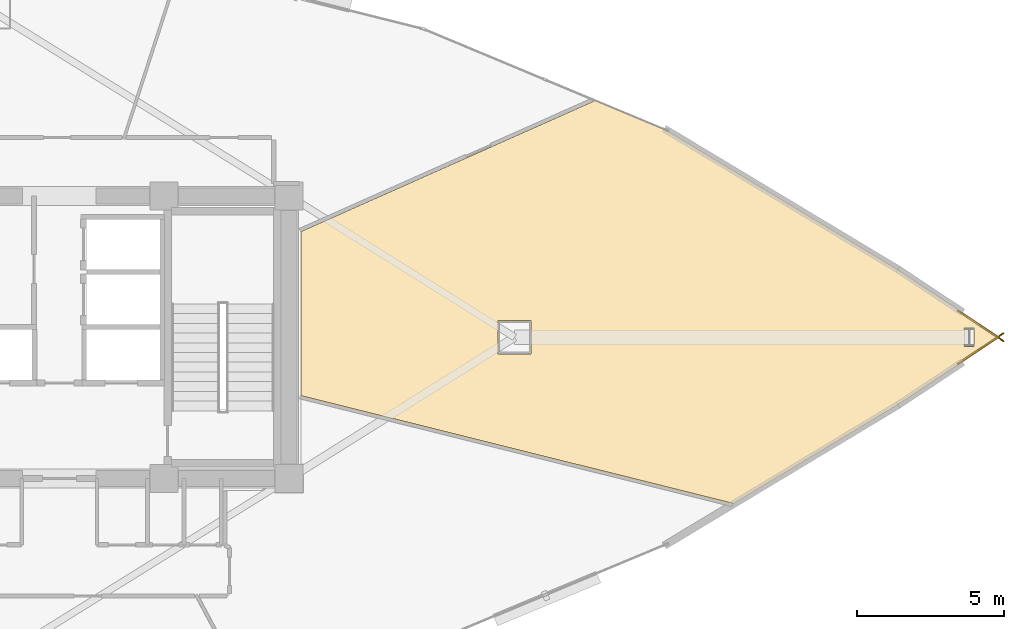
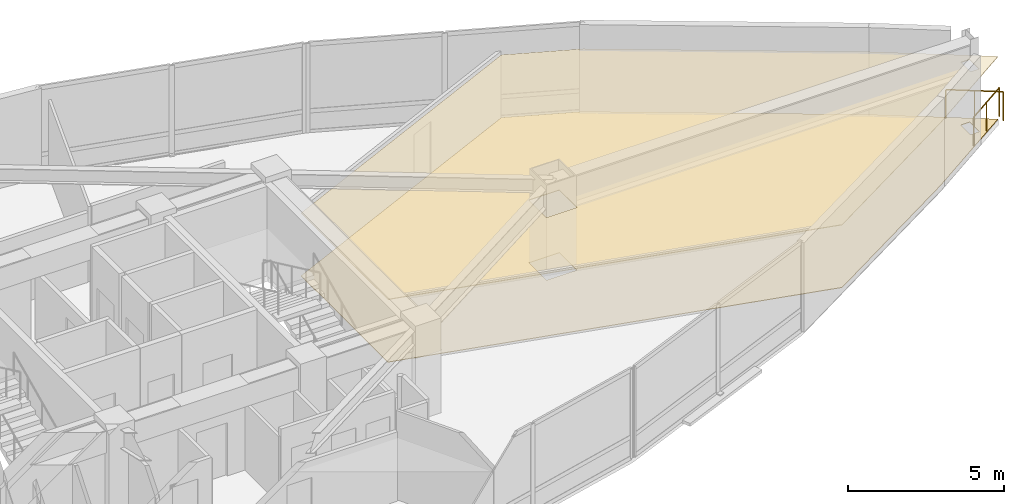
# One storey, part 18 of 18: 2 coverings, 2 railings.
"""IFC4 building model written with IfcOpenShell, lengths in metres."""

from ifc_helpers import new_model, si_unit, direction, frame, origin, origin_2d, place, context, subcontext, project, spatial, polyline, circle, outline, extrude, material, layer, layer_set, type_object, element, save


model = new_model("IFC4")

# Units and contexts
model_context = context("Model", 3, precision=1e-05, world=origin(), true_north=direction((0.0, 1.0)))
body_context = subcontext(model_context, "Body", "Model", "MODEL_VIEW")
ifc_project = project(units=[si_unit("LENGTHUNIT", "METRE"), si_unit("AREAUNIT", "SQUARE_METRE"), si_unit("VOLUMEUNIT", "CUBIC_METRE"), si_unit("PLANEANGLEUNIT", "RADIAN"), si_unit("MASSUNIT", "GRAM", prefix="KILO")], contexts=[model_context])

# Site, building, storey
site_placement = place(None, origin())
site = spatial("IfcSite", under=ifc_project, at=site_placement, CompositionType="ELEMENT")
building_placement = place(site_placement, origin())
building = spatial("IfcBuilding", under=site, at=building_placement, Name="Menara Vayukalpa", CompositionType="ELEMENT")
storey_placement = place(building_placement, frame((0.0, 0.0, 165.47998046875)))
storey = spatial("IfcBuildingStorey", under=building, at=storey_placement, Name="L41", CompositionType="ELEMENT", Elevation=165.47998046875)

# Coverings
ifc_material_1 = material(Name="Mineral Fibre Acoustic Ceiling Tile", Category="masonry")
ifc_layer_1 = layer(ifc_material_1, 0.02490234375)
ifc_layer_set_1 = layer_set([ifc_layer_1], Name="Mineral Fibre Acoustic Ceiling Tile")
covering_type_1 = type_object("IfcCoveringType", Name="COV-CLG1", PredefinedType="CEILING", material=ifc_layer_set_1)
covering_1_placement = place(storey_placement, frame((0.0, 0.0, 2.449951171875)))
element("IfcCovering", 1, at=covering_1_placement, inside=storey, type_object=covering_type_1, Name="L41 Open Plan Office Workplace Acoustic Ceiling", PredefinedType="CEILING", context=body_context, shape_type="SweptSolid", body=[
    extrude(outline(polyline([(54.0810546875, 24.291748046875), (57.521240234375, 22.00830078125), (57.52197265625, 22.0078125), (57.522705078125, 22.007080078125), (57.5234375, 22.00634765625), (57.52392578125, 22.005615234375), (57.5244140625, 22.004638671875), (57.52490234375, 22.00390625), (57.525390625, 22.0029296875), (57.525390625, 22.001953125), (57.525634765625, 22.0009765625), (57.525634765625, 22.0), (57.525634765625, 21.9990234375), (57.525390625, 21.998046875), (57.525390625, 21.9970703125), (57.52490234375, 21.99609375), (57.5244140625, 21.995361328125), (57.52392578125, 21.994384765625), (57.5234375, 21.99365234375), (57.522705078125, 21.992919921875), (57.52197265625, 21.9921875), (57.521240234375, 21.99169921875), (54.0810546875, 19.708251953125), (54.080810546875, 19.7080078125), (48.501953125, 16.3505859375), (48.5009765625, 16.35009765625), (48.500244140625, 16.349609375), (48.499267578125, 16.349365234375), (48.498291015625, 16.34912109375), (48.497314453125, 16.34912109375), (48.49658203125, 16.34912109375), (48.49560546875, 16.34912109375), (48.49462890625, 16.349365234375), (48.49365234375, 16.349609375), (48.492919921875, 16.349853515625), (48.491943359375, 16.350341796875), (48.4912109375, 16.350830078125), (48.489013671875, 16.352294921875), (48.483642578125, 16.35498046875), (48.478271484375, 16.357421875), (48.472412109375, 16.359130859375), (33.817626953125, 20.012939453125), (33.816650390625, 20.01318359375), (33.81591796875, 20.013671875), (33.81494140625, 20.01416015625), (33.814208984375, 20.0146484375), (33.8134765625, 20.01513671875), (33.812744140625, 20.015869140625), (33.81201171875, 20.0166015625), (33.8115234375, 20.017333984375), (33.81103515625, 20.01806640625), (33.810791015625, 20.01904296875), (33.810302734375, 20.02001953125), (33.810302734375, 20.020751953125), (33.81005859375, 20.021728515625), (33.81005859375, 20.022705078125), (33.81005859375, 25.583251953125), (33.81005859375, 25.584228515625), (33.810302734375, 25.585205078125), (33.810302734375, 25.5859375), (33.810791015625, 25.5869140625), (33.81103515625, 25.587890625), (33.8115234375, 25.588623046875), (33.812255859375, 25.58935546875), (33.812744140625, 25.590087890625), (33.8134765625, 25.5908203125), (33.814208984375, 25.59130859375), (33.815185546875, 25.591796875), (33.81591796875, 25.59228515625), (43.76513671875, 30.02197265625), (43.7705078125, 30.024658203125), (43.775634765625, 30.02783203125), (43.7802734375, 30.031494140625), (43.781005859375, 30.0322265625), (43.781982421875, 30.032958984375), (43.78271484375, 30.033447265625), (43.78369140625, 30.033935546875), (43.78466796875, 30.034423828125), (43.78564453125, 30.03466796875), (43.78662109375, 30.034912109375), (43.78759765625, 30.034912109375), (43.788818359375, 30.034912109375), (43.789794921875, 30.03466796875), (43.790771484375, 30.034423828125), (43.791748046875, 30.0341796875), (46.22998046875, 29.0166015625), (46.231201171875, 29.01611328125), (54.080810546875, 24.2919921875), (54.0810546875, 24.291748046875)]), holes=[polyline([(41.6240234375, 22.56494140625), (40.494140625, 22.56494140625), (40.494140625, 21.43505859375), (41.6240234375, 21.43505859375), (41.6240234375, 22.56494140625)]), polyline([(56.6669921875, 22.30908203125), (56.3369140625, 22.30908203125), (56.3369140625, 21.69091796875), (56.6669921875, 21.69091796875), (56.6669921875, 22.30908203125)])]), origin(), (0.0, 0.0, 1.0), 0.025146484375),
])
ifc_material_2 = material(Name="Porcelain Stoneware Floor Tile", Category="masonry")
ifc_layer_2 = layer(ifc_material_2, 0.02001953125)
ifc_layer_set_2 = layer_set([ifc_layer_2], Name="Porcelain Stoneware Floor Tile")
covering_type_2 = type_object("IfcCoveringType", Name="COV-FLR1", PredefinedType="FLOORING", material=ifc_layer_set_2)
covering_2_placement = place(storey_placement, origin())
element("IfcCovering", 2, at=covering_2_placement, inside=storey, type_object=covering_type_2, Name="L41 Open Plan Office Workplace Porcelain Flooring", PredefinedType="FLOORING", context=body_context, shape_type="SweptSolid", body=[
    extrude(outline(polyline([(54.0810546875, 24.291748046875), (57.521240234375, 22.00830078125), (57.52197265625, 22.0078125), (57.522705078125, 22.007080078125), (57.5234375, 22.00634765625), (57.52392578125, 22.005615234375), (57.5244140625, 22.004638671875), (57.52490234375, 22.00390625), (57.525390625, 22.0029296875), (57.525390625, 22.001953125), (57.525634765625, 22.0009765625), (57.525634765625, 22.0), (57.525634765625, 21.9990234375), (57.525390625, 21.998046875), (57.525390625, 21.9970703125), (57.52490234375, 21.99609375), (57.5244140625, 21.995361328125), (57.52392578125, 21.994384765625), (57.5234375, 21.99365234375), (57.522705078125, 21.992919921875), (57.52197265625, 21.9921875), (57.521240234375, 21.99169921875), (54.0810546875, 19.708251953125), (54.080810546875, 19.7080078125), (48.501953125, 16.3505859375), (48.5009765625, 16.35009765625), (48.500244140625, 16.349609375), (48.499267578125, 16.349365234375), (48.498291015625, 16.34912109375), (48.497314453125, 16.34912109375), (48.49658203125, 16.34912109375), (48.49560546875, 16.34912109375), (48.49462890625, 16.349365234375), (48.49365234375, 16.349609375), (48.492919921875, 16.349853515625), (48.491943359375, 16.350341796875), (48.4912109375, 16.350830078125), (48.489013671875, 16.352294921875), (48.483642578125, 16.35498046875), (48.478271484375, 16.357421875), (48.472412109375, 16.359130859375), (33.817626953125, 20.012939453125), (33.816650390625, 20.01318359375), (33.81591796875, 20.013671875), (33.81494140625, 20.01416015625), (33.814208984375, 20.0146484375), (33.8134765625, 20.01513671875), (33.812744140625, 20.015869140625), (33.81201171875, 20.0166015625), (33.8115234375, 20.017333984375), (33.81103515625, 20.01806640625), (33.810791015625, 20.01904296875), (33.810302734375, 20.02001953125), (33.810302734375, 20.020751953125), (33.81005859375, 20.021728515625), (33.81005859375, 20.022705078125), (33.81005859375, 25.583251953125), (33.81005859375, 25.584228515625), (33.810302734375, 25.585205078125), (33.810302734375, 25.5859375), (33.810791015625, 25.5869140625), (33.81103515625, 25.587890625), (33.8115234375, 25.588623046875), (33.812255859375, 25.58935546875), (33.812744140625, 25.590087890625), (33.8134765625, 25.5908203125), (33.814208984375, 25.59130859375), (33.815185546875, 25.591796875), (33.81591796875, 25.59228515625), (43.76513671875, 30.02197265625), (43.7705078125, 30.024658203125), (43.775634765625, 30.02783203125), (43.7802734375, 30.031494140625), (43.781005859375, 30.0322265625), (43.781982421875, 30.032958984375), (43.78271484375, 30.033447265625), (43.78369140625, 30.033935546875), (43.78466796875, 30.034423828125), (43.78564453125, 30.03466796875), (43.78662109375, 30.034912109375), (43.78759765625, 30.034912109375), (43.788818359375, 30.034912109375), (43.789794921875, 30.03466796875), (43.790771484375, 30.034423828125), (43.791748046875, 30.0341796875), (46.22998046875, 29.0166015625), (46.231201171875, 29.01611328125), (54.080810546875, 24.2919921875), (54.0810546875, 24.291748046875)]), holes=[polyline([(41.6240234375, 22.56494140625), (40.494140625, 22.56494140625), (40.494140625, 21.43505859375), (41.6240234375, 21.43505859375), (41.6240234375, 22.56494140625)]), polyline([(56.6669921875, 22.30908203125), (56.3369140625, 22.30908203125), (56.3369140625, 21.69091796875), (56.6669921875, 21.69091796875), (56.6669921875, 22.30908203125)])]), origin(), (0.0, 0.0, 1.0), 0.02001953125),
])

# Railings
ifc_material_3 = material(Name="Laminated Glass and Stainless Steel 316 Guardrail", Category="steel")
railing_type = type_object("IfcRailingType", Name="RLG-EXT115", PredefinedType="GUARDRAIL", material=ifc_material_3)
railing_1_placement = place(storey_placement, frame((56.1171875, 21.107666015625, 0.0)))
element("IfcRailing", 3, at=railing_1_placement, inside=storey, type_object=railing_type, Name="L41 Column Corner Spandrel Guardrail 01-1", PredefinedType="GUARDRAIL", context=body_context, shape_type="SweptSolid", body=[
    extrude(circle(Radius=0.02392578125, at=origin_2d()), frame((0.0, 0.0, 1.1259765625), z_axis=(0.833186138722, 0.552992638505, 0.0), x_axis=(-0.552992638505, 0.833186138722, 0.0)), (0.0, 0.0, 1.0), 1.848876953125),
    extrude(circle(Radius=0.02099609375, at=origin_2d()), origin(), (0.0, 0.0, 1.0), 1.101806640625),
    extrude(circle(Radius=0.02099609375, at=origin_2d()), frame((0.770263671875, 0.51123046875, 0.0)), (0.0, 0.0, 1.0), 1.101806640625),
    extrude(circle(Radius=0.02099609375, at=origin_2d()), frame((1.54052734375, 1.0224609375, 0.0)), (0.0, 0.0, 1.0), 1.101806640625),
])
railing_2_placement = place(storey_placement, frame((57.65771484375, 21.869873046875, 0.0)))
element("IfcRailing", 4, at=railing_2_placement, inside=storey, type_object=railing_type, Name="L41 Column Corner Spandrel Guardrail 02-1", PredefinedType="GUARDRAIL", context=body_context, shape_type="SweptSolid", body=[
    extrude(circle(Radius=0.02392578125, at=origin_2d()), frame((0.0, 0.0, 1.1259765625), z_axis=(-0.833186138722, 0.552992638505, 0.0), x_axis=(-0.552992638505, -0.833186138722, 0.0)), (0.0, 0.0, 1.0), 1.848876953125),
    extrude(circle(Radius=0.02099609375, at=origin_2d()), origin(), (0.0, 0.0, 1.0), 1.101806640625),
    extrude(circle(Radius=0.02099609375, at=origin_2d()), frame((-0.770263671875, 0.51123046875, 0.0)), (0.0, 0.0, 1.0), 1.101806640625),
    extrude(circle(Radius=0.02099609375, at=origin_2d()), frame((-1.54052734375, 1.0224609375, 0.0)), (0.0, 0.0, 1.0), 1.101806640625),
])

save(model, "model.ifc")
